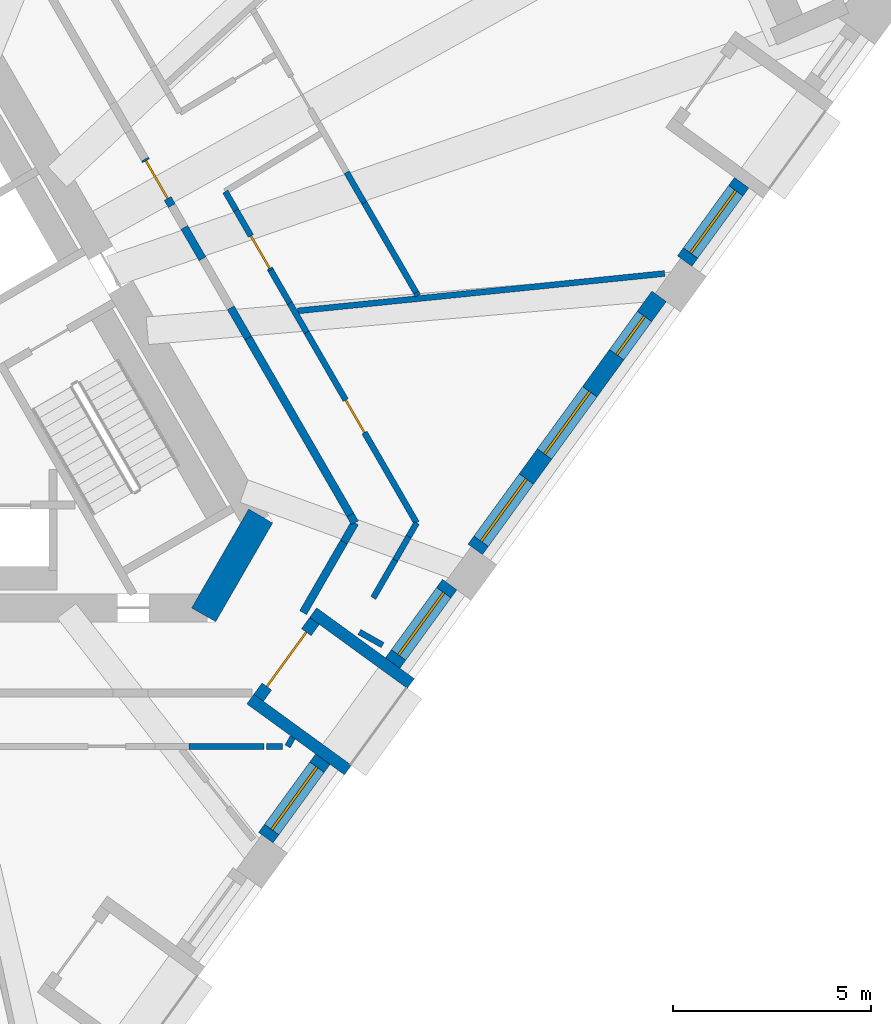
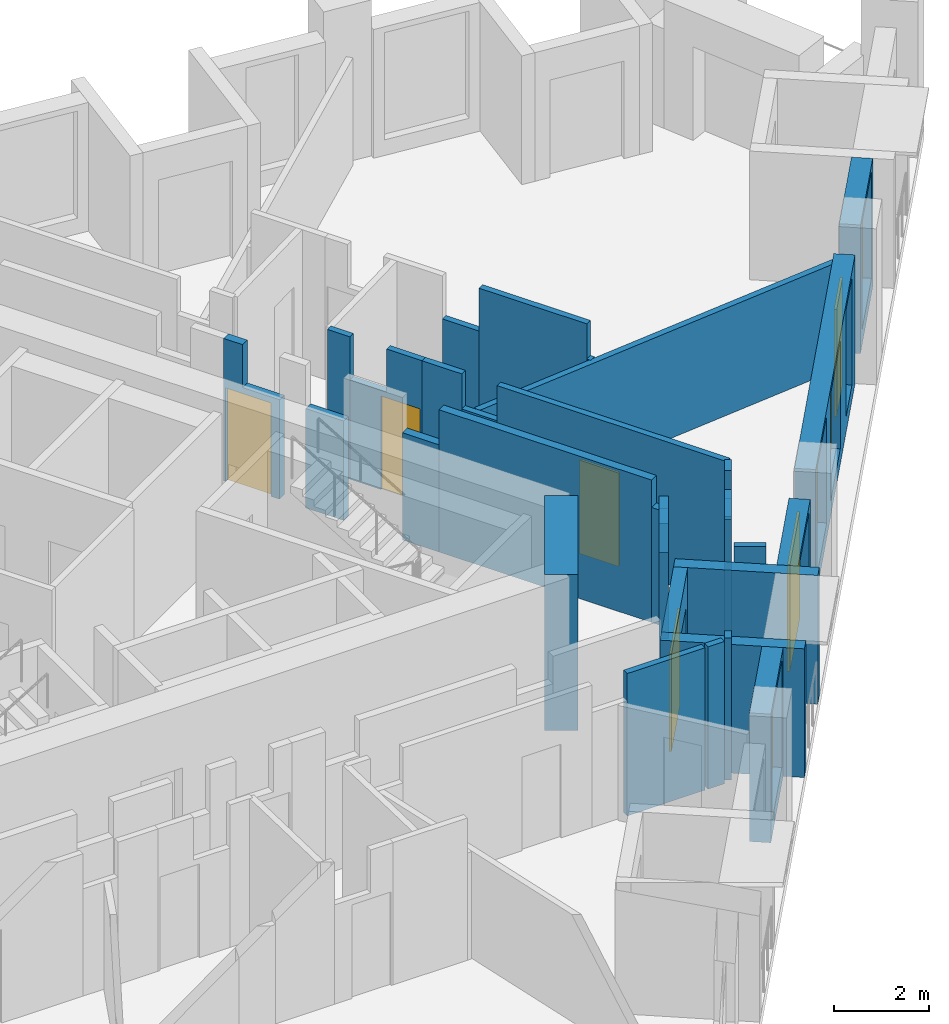
# One storey, part 5 of 11: 31 walls, 6 windows, 4 doors, 10 openings.
"""IFC4 building model written with IfcOpenShell, lengths in metres."""

from ifc_helpers import new_model, si_unit, direction, frame, frame_2d, origin, place, context, subcontext, project, spatial, polyline, rectangle, outline, extrude, material, layer, layer_set, type_object, element, fill, save


model = new_model("IFC4")

# Units and contexts
model_context = context("Model", 3, precision=1e-05, world=origin(), true_north=direction((0.0, 1.0)))
body_context = subcontext(model_context, "Body", "Model", "MODEL_VIEW")
ifc_project = project(units=[si_unit("LENGTHUNIT", "METRE"), si_unit("AREAUNIT", "SQUARE_METRE"), si_unit("VOLUMEUNIT", "CUBIC_METRE"), si_unit("PLANEANGLEUNIT", "RADIAN"), si_unit("MASSUNIT", "GRAM", prefix="KILO")], contexts=[model_context])

# Site, building, storey
site_placement = place(None, origin())
site = spatial("IfcSite", under=ifc_project, at=site_placement, CompositionType="ELEMENT")
building_placement = place(site_placement, origin())
building = spatial("IfcBuilding", under=site, at=building_placement, Name="Tramontana Tower", CompositionType="ELEMENT")
storey_placement = place(building_placement, frame((0.0, 0.0, 241.199951171875)))
storey = spatial("IfcBuildingStorey", under=building, at=storey_placement, Name="L56", CompositionType="ELEMENT", Elevation=241.199951171875)

# Walls
ifc_material_1 = material(Name="Concrete 70 MPa", Category="concrete")
ifc_layer_1 = layer(ifc_material_1, 0.699951171875)
ifc_layer_set_1 = layer_set([ifc_layer_1], Name="Core wall 700 70 MPa")
wall_type_1 = type_object("IfcWallType", Name="Core wall 700 70 MPa", PredefinedType="SHEAR", material=ifc_layer_set_1)
wall_1_placement = place(storey_placement, frame((8.50146484375, -6.574951171875, 0.0), z_axis=(0.0, 0.0, 1.0), x_axis=(0.499995765644, 0.866027848477, 0.0)))
element("IfcWall", 1, at=wall_1_placement, inside=storey, type_object=wall_type_1, Name="Core wall C4 L56", PredefinedType="SHEAR", context=body_context, shape_type="SweptSolid", body=[
    extrude(rectangle(XDim=2.88671875, YDim=0.699951171875, at=frame_2d((1.443359375, 0.0))), origin(), (0.0, 0.0, 1.0), 4.0),
])
ifc_material_2 = material(Name="Blockwork", Category="masonry")
ifc_layer_2 = layer(ifc_material_2, 0.199951171875)
ifc_layer_set_2 = layer_set([ifc_layer_2], Name="ENTRY WALL 200")
wall_type_2 = type_object("IfcWallType", Name="ENTRY WALL 200", PredefinedType="SOLIDWALL", material=ifc_layer_set_2)
wall_2_placement = place(storey_placement, frame((12.326416015625, -4.25, 0.0), z_axis=(0.0, 0.0, 1.0), x_axis=(-0.500000383388, -0.866025182435, 0.0)))
element("IfcWall", 2, at=wall_2_placement, inside=storey, type_object=wall_type_2, Name="Wall v60-ew0-0", PredefinedType="SOLIDWALL", context=body_context, shape_type="SweptSolid", body=[
    extrude(rectangle(XDim=0.5576171875, YDim=0.199951171875, at=frame_2d((0.27880859375, 0.0))), origin(), (0.0, 0.0, 1.0), 2.949951171875),
])
wall_3_placement = place(storey_placement, frame((12.047607421875, -4.73291015625, 0.0), z_axis=(0.0, 0.0, 1.0), x_axis=(-0.499958106649, -0.866049589571, 0.0)))
element("IfcWall", 3, at=wall_3_placement, inside=storey, type_object=wall_type_2, Name="Wall v60-ew0-1", PredefinedType="SOLIDWALL", context=body_context, shape_type="SweptSolid", body=[
    extrude(rectangle(XDim=2.062744140625, YDim=0.199951171875, at=frame_2d((1.03125, 0.0))), origin(), (0.0, 0.0, 1.0), 3.650146484375),
])

# Wall, opening, door
wall_4_placement = place(storey_placement, frame((7.017333984375, 4.945556640625, 0.0), z_axis=(0.0, 0.0, 1.0), x_axis=(0.499924531544, -0.866068971134, 0.0)))
wall_4 = element("IfcWall", 4, at=wall_4_placement, inside=storey, type_object=wall_type_2, Name="Wall v60-ew5-5", PredefinedType="SOLIDWALL", context=body_context, shape_type="SweptSolid", body=[
    extrude(outline(polyline([(0.0, 0.0), (1.359619140625, 0.0), (1.359375, 2.550048828125), (0.459228515625, 2.550048828125), (0.459228515625, 3.650146484375), (0.0, 3.650146484375), (0.0, 0.0)])), frame((0.0, 0.10009765625, 0.0), z_axis=(0.0, -1.0, 0.0), x_axis=(1.0, 0.0, 0.0)), (0.0, 0.0, 1.0), 0.199951171875),
])
opening_1_placement = place(wall_4_placement, frame((0.050048828125, 0.0, 0.0)))
opening_1 = element("IfcOpeningElement", 5, at=opening_1_placement, cuts=wall_4, Name="Opening B6A-19", PredefinedType="OPENING", context=body_context, shape_type="SweptSolid", body=[
    extrude(rectangle(XDim=1.10009765625, YDim=2.39990234375, at=frame_2d((0.550048828125, 1.199951171875))), frame((0.0, 0.10986328125, 0.0), z_axis=(0.0, -1.0, 0.0), x_axis=(1.0, 0.0, 0.0)), (0.0, 0.0, 1.0), 0.219970703125),
])
ifc_material_3 = material(Name="Painted timber", Category="wood")
door_type_1 = type_object("IfcDoorType", Name="DOOR ENTRY 1100", OperationType="SINGLE_SWING_LEFT", PredefinedType="DOOR", material=ifc_material_3)
door_1_placement = place(opening_1_placement, origin())
door_1 = element("IfcDoor", 6, at=door_1_placement, inside=storey, type_object=door_type_1, Name="Door B6A-19", OperationType="SINGLE_SWING_LEFT", OverallHeight=2.39990234375, OverallWidth=1.10009765625, PredefinedType="DOOR", context=body_context, shape_type="SweptSolid", body=[
    extrude(rectangle(XDim=1.10009765625, YDim=2.39990234375, at=frame_2d((0.550048828125, 1.199951171875))), frame((0.0, 0.02490234375, 0.0), z_axis=(0.0, -1.0, 0.0), x_axis=(1.0, 0.0, 0.0)), (0.0, 0.0, 1.0), 0.050048828125),
])
fill(opening_1, door_1)

# Walls
wall_5_placement = place(storey_placement, frame((8.013427734375, 3.22021484375, 0.0), z_axis=(0.0, 0.0, 1.0), x_axis=(0.500175591747, -0.865924002104, 0.0)))
element("IfcWall", 7, at=wall_5_placement, inside=storey, type_object=wall_type_2, Name="Wall v60-ew5-7", PredefinedType="SOLIDWALL", context=body_context, shape_type="SweptSolid", body=[
    extrude(rectangle(XDim=0.917236328125, YDim=0.199951171875, at=frame_2d((0.45849609375, 0.0))), origin(), (0.0, 0.0, 1.0), 2.550048828125),
])
wall_6_placement = place(storey_placement, frame((9.186767578125, 1.18798828125, 0.0), z_axis=(0.0, 0.0, 1.0), x_axis=(0.500121072013, -0.86595549154, 0.0)))
element("IfcWall", 8, at=wall_6_placement, inside=storey, type_object=wall_type_2, Name="Wall v60-ew5-9", PredefinedType="SOLIDWALL", context=body_context, shape_type="SweptSolid", body=[
    extrude(rectangle(XDim=0.883544921875, YDim=0.199951171875, at=frame_2d((0.44189453125, 0.0))), origin(), (0.0, 0.0, 1.0), 2.75),
])
wall_7_placement = place(storey_placement, frame((9.628662109375, 0.4228515625, 0.0), z_axis=(0.0, 0.0, 1.0), x_axis=(0.499995433041, -0.866028040503, 0.0)))
element("IfcWall", 9, at=wall_7_placement, inside=storey, type_object=wall_type_2, Name="Wall v60-ew5-10", PredefinedType="SOLIDWALL", context=body_context, shape_type="SweptSolid", body=[
    extrude(rectangle(XDim=5.1611328125, YDim=0.199951171875, at=frame_2d((2.58056640625, 0.0))), origin(), (0.0, 0.0, 1.0), 3.650146484375),
])
wall_8_placement = place(storey_placement, frame((12.209228515625, -4.046875, 0.0), z_axis=(0.0, 0.0, 1.0), x_axis=(0.49972245349, -0.866185586049, 0.0)))
element("IfcWall", 10, at=wall_8_placement, inside=storey, type_object=wall_type_2, Name="Wall v60-ew5-11", PredefinedType="SOLIDWALL", context=body_context, shape_type="SweptSolid", body=[
    extrude(rectangle(XDim=0.234619140625, YDim=0.199951171875, at=frame_2d((0.1171875, 0.0))), origin(), (0.0, 0.0, 1.0), 2.949951171875),
])

# Wall, opening, window
ifc_material_4 = material(Name="Precast concrete 60 MPa", Category="concrete")
ifc_layer_3 = layer(ifc_material_4, 0.449951171875)
ifc_layer_set_3 = layer_set([ifc_layer_3], Name="Precast concrete 60 MPa, 450 mm")
wall_type_3 = type_object("IfcWallType", Name="EW1 Stone-faced precast wall 450", PredefinedType="SOLIDWALL", material=ifc_layer_set_3)
wall_9_placement = place(storey_placement, frame((10.074462890625, -12.2060546875, 0.0), z_axis=(0.0, 0.0, 1.0), x_axis=(0.587792773076, 0.809011530152, 0.0)))
wall_9 = element("IfcWall", 11, at=wall_9_placement, inside=storey, type_object=wall_type_3, Name="External wall L56 face 1 bay 3", PredefinedType="SOLIDWALL", context=body_context, shape_type="SweptSolid", body=[
    extrude(rectangle(XDim=2.4521484375, YDim=0.449951171875, at=frame_2d((1.22607421875, 0.0))), origin(), (0.0, 0.0, 1.0), 3.300048828125),
])
opening_2_placement = place(wall_9_placement, frame((0.251220703125, 0.0, 0.39990234375)))
opening_2 = element("IfcOpeningElement", 12, at=opening_2_placement, cuts=wall_9, Name="Opening M3", PredefinedType="OPENING", context=body_context, shape_type="SweptSolid", body=[
    extrude(rectangle(XDim=1.949951171875, YDim=2.75, at=frame_2d((0.97509765625, 1.375))), frame((0.0, 0.23486328125, 0.0), z_axis=(0.0, -1.0, 0.0), x_axis=(1.0, 0.0, 0.0)), (0.0, 0.0, 1.0), 0.469970703125),
])
ifc_material_5 = material(Name="Aluminum frame, double glazing unit", Category="aluminium")
window_type_1 = type_object("IfcWindowType", Name="M3 Window 1.95 x 2.75", PartitioningType="SINGLE_PANEL", PredefinedType="WINDOW", material=ifc_material_5)
window_1_placement = place(opening_2_placement, origin())
window_1 = element("IfcWindow", 13, at=window_1_placement, inside=storey, type_object=window_type_1, Name="Window M3 L56 face 1 module 7", OverallHeight=2.75, OverallWidth=1.949951171875, PartitioningType="SINGLE_PANEL", PredefinedType="WINDOW", context=body_context, shape_type="SweptSolid", body=[
    extrude(rectangle(XDim=1.949951171875, YDim=2.75, at=frame_2d((0.97509765625, 1.375))), frame((0.0, 0.030029296875, 0.0), z_axis=(0.0, -1.0, 0.0), x_axis=(1.0, 0.0, 0.0)), (0.0, 0.0, 1.0), 0.06005859375),
])
fill(opening_2, window_1)

wall_10_placement = place(storey_placement, frame((13.280517578125, -7.79345703125, 0.0), z_axis=(0.0, 0.0, 1.0), x_axis=(0.587792773076, 0.809011530152, 0.0)))
wall_10 = element("IfcWall", 14, at=wall_10_placement, inside=storey, type_object=wall_type_3, Name="External wall L56 face 1 bay 3", PredefinedType="SOLIDWALL", context=body_context, shape_type="SweptSolid", body=[
    extrude(rectangle(XDim=2.4521484375, YDim=0.449951171875, at=frame_2d((1.22607421875, 0.0))), origin(), (0.0, 0.0, 1.0), 3.300048828125),
])
opening_3_placement = place(wall_10_placement, frame((0.251220703125, 0.0, 0.39990234375)))
opening_3 = element("IfcOpeningElement", 15, at=opening_3_placement, cuts=wall_10, Name="Opening M3", PredefinedType="OPENING", context=body_context, shape_type="SweptSolid", body=[
    extrude(rectangle(XDim=1.949951171875, YDim=2.75, at=frame_2d((0.97509765625, 1.375))), frame((0.0, 0.23486328125, 0.0), z_axis=(0.0, -1.0, 0.0), x_axis=(1.0, 0.0, 0.0)), (0.0, 0.0, 1.0), 0.469970703125),
])
window_2_placement = place(opening_3_placement, origin())
window_2 = element("IfcWindow", 16, at=window_2_placement, inside=storey, type_object=window_type_1, Name="Window M3 L56 face 1 module 9", OverallHeight=2.75, OverallWidth=1.949951171875, PartitioningType="SINGLE_PANEL", PredefinedType="WINDOW", context=body_context, shape_type="SweptSolid", body=[
    extrude(rectangle(XDim=1.949951171875, YDim=2.75, at=frame_2d((0.97509765625, 1.375))), frame((0.0, 0.030029296875, 0.0), z_axis=(0.0, -1.0, 0.0), x_axis=(1.0, 0.0, 0.0)), (0.0, 0.0, 1.0), 0.06005859375),
])
fill(opening_3, window_2)

# Wall, openings, windows
wall_11_placement = place(storey_placement, frame((15.368408203125, -4.919677734375, 0.0), z_axis=(0.0, 0.0, 1.0), x_axis=(0.587782407267, 0.809019061399, 0.0)))
wall_11 = element("IfcWall", 17, at=wall_11_placement, inside=storey, type_object=wall_type_3, Name="External wall L56 face 1 bay 4", PredefinedType="SOLIDWALL", context=body_context, shape_type="SweptSolid", body=[
    extrude(rectangle(XDim=7.90673828125, YDim=0.449951171875, at=frame_2d((3.953369140625, 0.0))), origin(), (0.0, 0.0, 1.0), 3.300048828125),
])
opening_4_placement = place(wall_11_placement, frame((0.251220703125, 0.0, 0.39990234375)))
opening_4 = element("IfcOpeningElement", 18, at=opening_4_placement, cuts=wall_11, Name="Opening M3", PredefinedType="OPENING", context=body_context, shape_type="SweptSolid", body=[
    extrude(rectangle(XDim=1.949951171875, YDim=2.75, at=frame_2d((0.97509765625, 1.375))), frame((0.0, 0.23486328125, 0.0), z_axis=(0.0, -1.0, 0.0), x_axis=(1.0, 0.0, 0.0)), (0.0, 0.0, 1.0), 0.469970703125),
])
opening_5_placement = place(wall_11_placement, frame((2.978271484375, 0.0, 0.39990234375)))
opening_5 = element("IfcOpeningElement", 19, at=opening_5_placement, cuts=wall_11, Name="Opening M3", PredefinedType="OPENING", context=body_context, shape_type="SweptSolid", body=[
    extrude(rectangle(XDim=1.949951171875, YDim=2.75, at=frame_2d((0.97509765625, 1.375))), frame((0.0, 0.23486328125, 0.0), z_axis=(0.0, -1.0, 0.0), x_axis=(1.0, 0.0, 0.0)), (0.0, 0.0, 1.0), 0.469970703125),
])
opening_6_placement = place(wall_11_placement, frame((6.08056640625, 0.0, 0.39990234375)))
opening_6 = element("IfcOpeningElement", 20, at=opening_6_placement, cuts=wall_11, Name="Opening N3", PredefinedType="OPENING", context=body_context, shape_type="SweptSolid", body=[
    extrude(rectangle(XDim=1.199951171875, YDim=2.75, at=frame_2d((0.60009765625, 1.375))), frame((0.0, 0.23486328125, 0.0), z_axis=(0.0, -1.0, 0.0), x_axis=(1.0, 0.0, 0.0)), (0.0, 0.0, 1.0), 0.469970703125),
])
window_3_placement = place(opening_4_placement, origin())
window_3 = element("IfcWindow", 21, at=window_3_placement, inside=storey, type_object=window_type_1, Name="Window M3 L56 face 1 module 10", OverallHeight=2.75, OverallWidth=1.949951171875, PartitioningType="SINGLE_PANEL", PredefinedType="WINDOW", context=body_context, shape_type="SweptSolid", body=[
    extrude(rectangle(XDim=1.949951171875, YDim=2.75, at=frame_2d((0.97509765625, 1.375))), frame((0.0, 0.030029296875, 0.0), z_axis=(0.0, -1.0, 0.0), x_axis=(1.0, 0.0, 0.0)), (0.0, 0.0, 1.0), 0.06005859375),
])
fill(opening_4, window_3)
window_4_placement = place(opening_5_placement, origin())
window_4 = element("IfcWindow", 22, at=window_4_placement, inside=storey, type_object=window_type_1, Name="Window M3 L56 face 1 module 11", OverallHeight=2.75, OverallWidth=1.949951171875, PartitioningType="SINGLE_PANEL", PredefinedType="WINDOW", context=body_context, shape_type="SweptSolid", body=[
    extrude(rectangle(XDim=1.949951171875, YDim=2.75, at=frame_2d((0.97509765625, 1.375))), frame((0.0, 0.030029296875, 0.0), z_axis=(0.0, -1.0, 0.0), x_axis=(1.0, 0.0, 0.0)), (0.0, 0.0, 1.0), 0.06005859375),
])
fill(opening_5, window_4)
ifc_material_6 = material(Name="Aluminum frame, double glazing unit", Category="aluminium")
window_type_2 = type_object("IfcWindowType", Name="N3 Window 1.2 x 2.75", PartitioningType="SINGLE_PANEL", PredefinedType="WINDOW", material=ifc_material_6)
window_5_placement = place(opening_6_placement, origin())
window_5 = element("IfcWindow", 23, at=window_5_placement, inside=storey, type_object=window_type_2, Name="Window N3 L56 face 1 module 12", OverallHeight=2.75, OverallWidth=1.199951171875, PartitioningType="SINGLE_PANEL", PredefinedType="WINDOW", context=body_context, shape_type="SweptSolid", body=[
    extrude(rectangle(XDim=1.199951171875, YDim=2.75, at=frame_2d((0.60009765625, 1.375))), frame((0.0, 0.030029296875, 0.0), z_axis=(0.0, -1.0, 0.0), x_axis=(1.0, 0.0, 0.0)), (0.0, 0.0, 1.0), 0.06005859375),
])
fill(opening_6, window_5)

# Wall, opening, window
wall_12_placement = place(storey_placement, frame((20.662353515625, 2.366943359375, 0.0), z_axis=(0.0, 0.0, 1.0), x_axis=(0.587792773076, 0.809011530152, 0.0)))
wall_12 = element("IfcWall", 24, at=wall_12_placement, inside=storey, type_object=wall_type_3, Name="External wall L56 face 1 bay 5", PredefinedType="SOLIDWALL", context=body_context, shape_type="SweptSolid", body=[
    extrude(rectangle(XDim=2.4521484375, YDim=0.449951171875, at=frame_2d((1.22607421875, 0.0))), origin(), (0.0, 0.0, 1.0), 3.300048828125),
])
opening_7_placement = place(wall_12_placement, frame((0.251220703125, 0.0, 0.39990234375)))
opening_7 = element("IfcOpeningElement", 25, at=opening_7_placement, cuts=wall_12, Name="Opening M3", PredefinedType="OPENING", context=body_context, shape_type="SweptSolid", body=[
    extrude(rectangle(XDim=1.949951171875, YDim=2.75, at=frame_2d((0.97509765625, 1.375))), frame((0.0, 0.23486328125, 0.0), z_axis=(0.0, -1.0, 0.0), x_axis=(1.0, 0.0, 0.0)), (0.0, 0.0, 1.0), 0.469970703125),
])
window_6_placement = place(opening_7_placement, origin())
window_6 = element("IfcWindow", 26, at=window_6_placement, inside=storey, type_object=window_type_1, Name="Window M3 L56 face 1 module 13", OverallHeight=2.75, OverallWidth=1.949951171875, PartitioningType="SINGLE_PANEL", PredefinedType="WINDOW", context=body_context, shape_type="SweptSolid", body=[
    extrude(rectangle(XDim=1.949951171875, YDim=2.75, at=frame_2d((0.97509765625, 1.375))), frame((0.0, 0.030029296875, 0.0), z_axis=(0.0, -1.0, 0.0), x_axis=(1.0, 0.0, 0.0)), (0.0, 0.0, 1.0), 0.06005859375),
])
fill(opening_7, window_6)

# Wall, opening, door
ifc_material_7 = material(Name="Precast concrete 60 MPa", Category="concrete")
ifc_layer_4 = layer(ifc_material_7, 0.300048828125)
ifc_layer_set_4 = layer_set([ifc_layer_4], Name="LW1 Stone-faced loggia wall 300")
wall_type_4 = type_object("IfcWallType", Name="LW1 Stone-faced loggia wall 300", PredefinedType="SOLIDWALL", material=ifc_layer_set_4)
wall_13_placement = place(storey_placement, frame((9.89208984375, -8.671630859375, 0.0), z_axis=(0.0, 0.0, 1.0), x_axis=(0.587833242688, 0.808982125137, 0.0)))
wall_13 = element("IfcWall", 27, at=wall_13_placement, inside=storey, type_object=wall_type_4, Name="Loggia wall L56 G6S1.7", PredefinedType="SOLIDWALL", context=body_context, shape_type="SweptSolid", body=[
    extrude(rectangle(XDim=2.40234375, YDim=0.300048828125, at=frame_2d((1.201171875, 0.0))), origin(), (0.0, 0.0, 1.0), 3.300048828125),
])
opening_8_placement = place(wall_13_placement, frame((0.35107421875, 0.0, 0.0)))
opening_8 = element("IfcOpeningElement", 28, at=opening_8_placement, cuts=wall_13, Name="Opening BD-6S1-07", PredefinedType="OPENING", context=body_context, shape_type="SweptSolid", body=[
    extrude(rectangle(XDim=1.699951171875, YDim=2.5, at=frame_2d((0.85009765625, 1.25))), frame((0.0, 0.159912109375, 0.0), z_axis=(0.0, -1.0, 0.0), x_axis=(1.0, 0.0, 0.0)), (0.0, 0.0, 1.0), 0.320068359375),
])
ifc_material_8 = material(Name="Aluminum frame, double glazing unit", Category="aluminium")
door_type_2 = type_object("IfcDoorType", Name="BD3 Sliding door 1.7 x 2.5", OperationType="SLIDING_TO_LEFT", PredefinedType="DOOR", material=ifc_material_8)
door_2_placement = place(opening_8_placement, origin())
door_2 = element("IfcDoor", 29, at=door_2_placement, inside=storey, type_object=door_type_2, Name="Loggia door L56 G6S1.7", OperationType="SLIDING_TO_LEFT", OverallHeight=2.5, OverallWidth=1.699951171875, PredefinedType="DOOR", context=body_context, shape_type="SweptSolid", body=[
    extrude(rectangle(XDim=1.699951171875, YDim=2.5, at=frame_2d((0.85009765625, 1.25))), frame((0.0, 0.02490234375, 0.0), z_axis=(0.0, -1.0, 0.0), x_axis=(1.0, 0.0, 0.0)), (0.0, 0.0, 1.0), 0.050048828125),
])
fill(opening_8, door_2)

# Walls
for number, where, z_axis, x_axis, name in (
    (30, (12.150146484375, -10.49755859375, 0.0), (0.0, 0.0, 1.0), (-0.80902328748, 0.587776590479, 0.0), "Loggia return L56 G6S1.7a"),
    (31, (13.738525390625, -8.3115234375, 0.0), (0.0, 0.0, 1.0), (-0.80902328748, 0.587776590479, 0.0), "Loggia return L56 G6S1.7b"),
):
    element("IfcWall", number, at=place(storey_placement, frame(where, z_axis=z_axis, x_axis=x_axis)), inside=storey, type_object=wall_type_4, Name=name, PredefinedType="SOLIDWALL", context=body_context, shape_type="SweptSolid", body=[
        extrude(rectangle(XDim=3.050048828125, YDim=0.300048828125, at=frame_2d((1.52490234375, 0.0))), origin(), (0.0, 0.0, 1.0), 3.300048828125),
    ])
ifc_material_9 = material(Name="Gypsum board partition")
ifc_layer_5 = layer(ifc_material_9, 0.14990234375)
ifc_layer_set_5 = layer_set([ifc_layer_5], Name="PARTITION 150")
wall_type_5 = type_object("IfcWallType", Name="PARTITION 150", PredefinedType="PARTITIONING", material=ifc_layer_set_5)
wall_14_placement = place(storey_placement, frame((9.0498046875, 4.125244140625, 0.0), z_axis=(0.0, 0.0, 1.0), x_axis=(0.500007885066, -0.866020851292, 0.0)))
element("IfcWall", 32, at=wall_14_placement, inside=storey, type_object=wall_type_5, Name="Wall v60-pw18-0", PredefinedType="PARTITIONING", context=body_context, shape_type="SweptSolid", body=[
    extrude(rectangle(XDim=0.54296875, YDim=0.14990234375, at=frame_2d((0.271484375, 0.0))), origin(), (0.0, 0.0, 1.0), 3.650146484375),
])

# Wall, opening, door
wall_15_placement = place(storey_placement, frame((9.3212890625, 3.655029296875, 0.0), z_axis=(0.0, 0.0, 1.0), x_axis=(0.499980071345, -0.866036909293, 0.0)))
wall_15 = element("IfcWall", 33, at=wall_15_placement, inside=storey, type_object=wall_type_5, Name="Wall v60-pw18-1", PredefinedType="PARTITIONING", context=body_context, shape_type="SweptSolid", body=[
    extrude(outline(polyline([(0.0, 0.0), (1.75, 0.0), (1.75, 3.650146484375), (0.8916015625, 3.650146484375), (0.8916015625, 2.550048828125), (0.0, 2.550048828125), (0.0, 0.0)])), frame((0.0, 0.074951171875, 0.0), z_axis=(0.0, -1.0, 0.0), x_axis=(1.0, 0.0, 0.0)), (0.0, 0.0, 1.0), 0.14990234375),
])
opening_9_placement = place(wall_15_placement, frame((0.75, 0.0, 0.0)))
opening_9 = element("IfcOpeningElement", 34, at=opening_9_placement, cuts=wall_15, Name="Opening B6A-10", PredefinedType="OPENING", context=body_context, shape_type="SweptSolid", body=[
    extrude(rectangle(XDim=0.949951171875, YDim=2.39990234375, at=frame_2d((0.47509765625, 1.199951171875))), frame((0.0, 0.0849609375, 0.0), z_axis=(0.0, -1.0, 0.0), x_axis=(1.0, 0.0, 0.0)), (0.0, 0.0, 1.0), 0.169921875),
])
ifc_material_10 = material(Name="Painted timber", Category="wood")
door_type_3 = type_object("IfcDoorType", Name="DOOR ROOM 950", OperationType="SINGLE_SWING_LEFT", PredefinedType="DOOR", material=ifc_material_10)
door_3_placement = place(opening_9_placement, origin())
door_3 = element("IfcDoor", 35, at=door_3_placement, inside=storey, type_object=door_type_3, Name="Door B6A-10", OperationType="SINGLE_SWING_RIGHT", OverallHeight=2.39990234375, OverallWidth=0.949951171875, PredefinedType="DOOR", context=body_context, shape_type="SweptSolid", body=[
    extrude(rectangle(XDim=0.949951171875, YDim=2.39990234375, at=frame_2d((0.47509765625, 1.199951171875))), frame((0.0, 0.02490234375, 0.0), z_axis=(0.0, -1.0, 0.0), x_axis=(1.0, 0.0, 0.0)), (0.0, 0.0, 1.0), 0.050048828125),
])
fill(opening_9, door_3)

# Walls
wall_16_placement = place(storey_placement, frame((10.1962890625, 2.139404296875, 0.0), z_axis=(0.0, 0.0, 1.0), x_axis=(0.500109093648, -0.865962409375, 0.0)))
element("IfcWall", 36, at=wall_16_placement, inside=storey, type_object=wall_type_5, Name="Wall v60-pw18-2", PredefinedType="PARTITIONING", context=body_context, shape_type="SweptSolid", body=[
    extrude(rectangle(XDim=0.965576171875, YDim=0.14990234375, at=frame_2d((0.48291015625, 0.0))), origin(), (0.0, 0.0, 1.0), 3.650146484375),
])
wall_17_placement = place(storey_placement, frame((10.67919921875, 1.30322265625, 0.0), z_axis=(0.0, 0.0, 1.0), x_axis=(0.500035209441, -0.86600507465, 0.0)))
element("IfcWall", 37, at=wall_17_placement, inside=storey, type_object=wall_type_5, Name="Wall v60-pw18-3", PredefinedType="PARTITIONING", context=body_context, shape_type="SweptSolid", body=[
    extrude(rectangle(XDim=0.85595703125, YDim=0.14990234375, at=frame_2d((0.427978515625, 0.0))), origin(), (0.0, 0.0, 1.0), 2.75),
])

# Wall, opening, door
wall_18_placement = place(storey_placement, frame((11.107177734375, 0.56201171875, 0.0), z_axis=(0.0, 0.0, 1.0), x_axis=(0.499981090573, -0.866036320872, 0.0)))
wall_18 = element("IfcWall", 38, at=wall_18_placement, inside=storey, type_object=wall_type_5, Name="Wall v60-pw18-4", PredefinedType="PARTITIONING", context=body_context, shape_type="SweptSolid", body=[
    extrude(rectangle(XDim=5.556396484375, YDim=0.14990234375, at=frame_2d((2.7783203125, 0.0))), origin(), (0.0, 0.0, 1.0), 3.650146484375),
])
opening_10_placement = place(wall_18_placement, frame((1.970947265625, 0.0, 0.0)))
opening_10 = element("IfcOpeningElement", 39, at=opening_10_placement, cuts=wall_18, Name="Opening B6A-13", PredefinedType="OPENING", context=body_context, shape_type="SweptSolid", body=[
    extrude(rectangle(XDim=0.949951171875, YDim=2.39990234375, at=frame_2d((0.47509765625, 1.199951171875))), frame((0.0, 0.0849609375, 0.0), z_axis=(0.0, -1.0, 0.0), x_axis=(1.0, 0.0, 0.0)), (0.0, 0.0, 1.0), 0.169921875),
])
door_4_placement = place(opening_10_placement, origin())
door_4 = element("IfcDoor", 40, at=door_4_placement, inside=storey, type_object=door_type_3, Name="Door B6A-13", OperationType="SINGLE_SWING_LEFT", OverallHeight=2.39990234375, OverallWidth=0.949951171875, PredefinedType="DOOR", context=body_context, shape_type="SweptSolid", body=[
    extrude(rectangle(XDim=0.949951171875, YDim=2.39990234375, at=frame_2d((0.47509765625, 1.199951171875))), frame((0.0, 0.02490234375, 0.0), z_axis=(0.0, -1.0, 0.0), x_axis=(1.0, 0.0, 0.0)), (0.0, 0.0, 1.0), 0.050048828125),
])
fill(opening_10, door_4)

# Walls
wall_19_placement = place(storey_placement, frame((12.1171875, 4.612548828125, 0.0), z_axis=(0.0, 0.0, 1.0), x_axis=(0.499967368674, -0.86604424267, 0.0)))
element("IfcWall", 41, at=wall_19_placement, inside=storey, type_object=wall_type_5, Name="Wall v60-pw19-4", PredefinedType="PARTITIONING", context=body_context, shape_type="SweptSolid", body=[
    extrude(rectangle(XDim=0.8916015625, YDim=0.14990234375, at=frame_2d((0.44580078125, 0.0))), origin(), (0.0, 0.0, 1.0), 2.550048828125),
])
wall_20_placement = place(storey_placement, frame((12.56298828125, 3.84033203125, 0.0), z_axis=(0.0, 0.0, 1.0), x_axis=(0.500016176693, -0.866016063965, 0.0)))
element("IfcWall", 42, at=wall_20_placement, inside=storey, type_object=wall_type_5, Name="Wall v60-pw19-5", PredefinedType="PARTITIONING", context=body_context, shape_type="SweptSolid", body=[
    extrude(rectangle(XDim=2.6142578125, YDim=0.14990234375, at=frame_2d((1.30712890625, 0.0))), origin(), (0.0, 0.0, 1.0), 3.650146484375),
])
wall_21_placement = place(storey_placement, frame((13.8701171875, 1.576416015625, 0.0), z_axis=(0.0, 0.0, 1.0), x_axis=(0.49972245349, -0.866185586049, 0.0)))
element("IfcWall", 43, at=wall_21_placement, inside=storey, type_object=wall_type_5, Name="Wall v60-pw19-6", PredefinedType="PARTITIONING", context=body_context, shape_type="SweptSolid", body=[
    extrude(rectangle(XDim=0.09521484375, YDim=0.14990234375, at=frame_2d((0.047607421875, 0.0))), origin(), (0.0, 0.0, 1.0), 2.75),
])
wall_22_placement = place(storey_placement, frame((10.0224609375, -9.89990234375, 0.0), z_axis=(0.0, 0.0, 1.0), x_axis=(-1.0, 0.0, 0.0)))
element("IfcWall", 44, at=wall_22_placement, inside=storey, type_object=wall_type_5, Name="Wall v60-pw21-0", PredefinedType="PARTITIONING", context=body_context, shape_type="SweptSolid", body=[
    extrude(rectangle(XDim=1.888427734375, YDim=0.14990234375, at=frame_2d((0.9443359375, 0.0))), origin(), (0.0, 0.0, 1.0), 3.650146484375),
])
wall_23_placement = place(storey_placement, frame((10.09228515625, -9.89990234375, 0.0), z_axis=(0.0, 0.0, 1.0), x_axis=(1.0, 0.0, 0.0)))
element("IfcWall", 45, at=wall_23_placement, inside=storey, type_object=wall_type_5, Name="Wall v60-pw22", PredefinedType="PARTITIONING", context=body_context, shape_type="SweptSolid", body=[
    extrude(rectangle(XDim=0.406982421875, YDim=0.14990234375, at=frame_2d((0.20361328125, 0.0))), origin(), (0.0, 0.0, 1.0), 3.650146484375),
])
wall_24_placement = place(storey_placement, frame((10.755859375, -9.670166015625, 0.0), z_axis=(0.0, 0.0, 1.0), x_axis=(-0.499802134818, -0.866139611167, 0.0)))
element("IfcWall", 46, at=wall_24_placement, inside=storey, type_object=wall_type_5, Name="Wall v60-pw23", PredefinedType="PARTITIONING", context=body_context, shape_type="SweptSolid", body=[
    extrude(rectangle(XDim=0.26513671875, YDim=0.14990234375, at=frame_2d((0.132568359375, 0.0))), origin(), (0.0, 0.0, 1.0), 3.650146484375),
])
wall_25_placement = place(storey_placement, frame((12.439697265625, -7.00927734375, 0.0), z_axis=(0.0, 0.0, 1.0), x_axis=(0.871323961853, -0.490708216256, 0.0)))
element("IfcWall", 47, at=wall_25_placement, inside=storey, type_object=wall_type_5, Name="Wall v60-pw25", PredefinedType="PARTITIONING", context=body_context, shape_type="SweptSolid", body=[
    extrude(rectangle(XDim=0.674072265625, YDim=0.14990234375, at=frame_2d((0.3369140625, 0.0))), origin(), (0.0, 0.0, 1.0), 3.650146484375),
])
wall_26_placement = place(storey_placement, frame((13.88525390625, -4.25, 0.0), z_axis=(0.0, 0.0, 1.0), x_axis=(-0.499899443193, -0.866083452501, 0.0)))
element("IfcWall", 48, at=wall_26_placement, inside=storey, type_object=wall_type_5, Name="Wall v60-pw26-0", PredefinedType="PARTITIONING", context=body_context, shape_type="SweptSolid", body=[
    extrude(rectangle(XDim=0.39794921875, YDim=0.14990234375, at=frame_2d((0.198974609375, 0.0))), origin(), (0.0, 0.0, 1.0), 3.650146484375),
])
wall_27_placement = place(storey_placement, frame((13.686279296875, -4.5947265625, 0.0), z_axis=(0.0, 0.0, 1.0), x_axis=(-0.500081895979, -0.865978115955, 0.0)))
element("IfcWall", 49, at=wall_27_placement, inside=storey, type_object=wall_type_5, Name="Wall v60-pw26-1", PredefinedType="PARTITIONING", context=body_context, shape_type="SweptSolid", body=[
    extrude(rectangle(XDim=0.68603515625, YDim=0.14990234375, at=frame_2d((0.343017578125, 0.0))), origin(), (0.0, 0.0, 1.0), 2.949951171875),
])
wall_28_placement = place(storey_placement, frame((13.34326171875, -5.188720703125, 0.0), z_axis=(0.0, 0.0, 1.0), x_axis=(-0.500009088543, -0.866020156448, 0.0)))
element("IfcWall", 50, at=wall_28_placement, inside=storey, type_object=wall_type_5, Name="Wall v60-pw26-2", PredefinedType="PARTITIONING", context=body_context, shape_type="SweptSolid", body=[
    extrude(rectangle(XDim=1.10595703125, YDim=0.14990234375, at=frame_2d((0.552978515625, 0.0))), origin(), (0.0, 0.0, 1.0), 3.650146484375),
])
wall_29_placement = place(storey_placement, frame((20.1572265625, 2.05419921875, 0.0), z_axis=(0.0, 0.0, 1.0), x_axis=(-0.994848051669, -0.101377285871, 0.0)))
element("IfcWall", 51, at=wall_29_placement, inside=storey, type_object=wall_type_5, Name="Wall v60-pw27-0", PredefinedType="PARTITIONING", context=body_context, shape_type="SweptSolid", body=[
    extrude(rectangle(XDim=9.3271484375, YDim=0.14990234375, at=frame_2d((4.66357421875, 0.0))), origin(), (0.0, 0.0, 1.0), 2.75),
])

save(model, "model.ifc")
